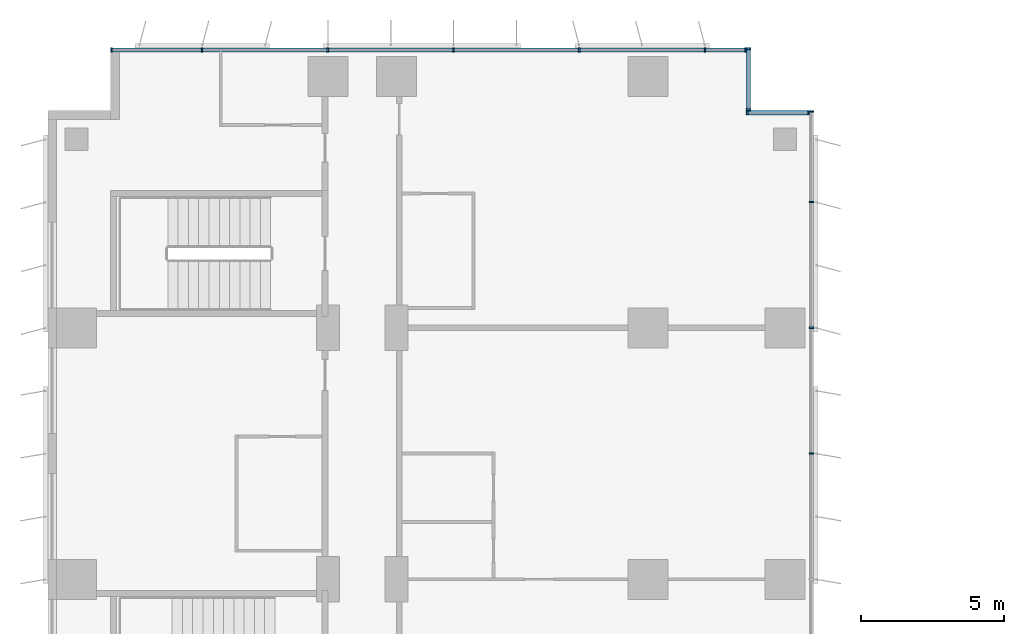
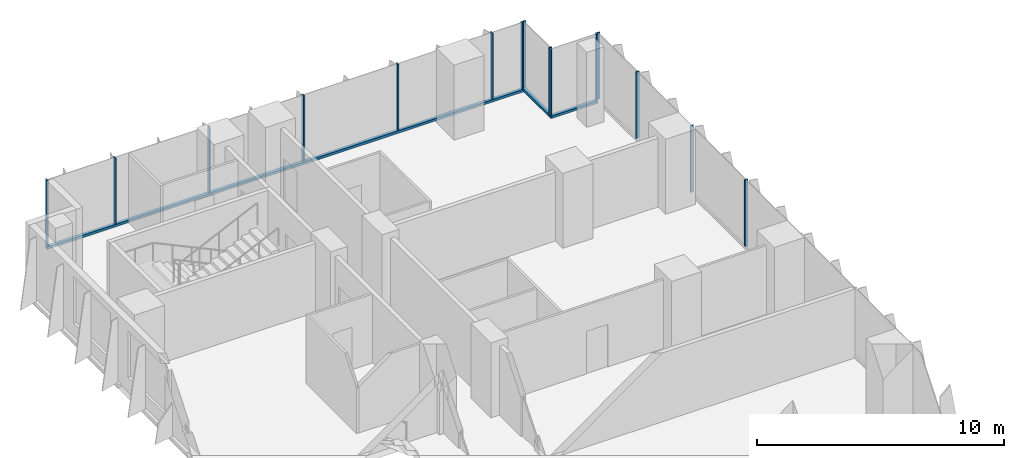
# One storey, part 9 of 24: 18 members, 4 elements without a shape of their own.
"""IFC4 building model written with IfcOpenShell, lengths in metres."""

from ifc_helpers import new_model, si_unit, direction, frame, origin, origin_2d, place, context, subcontext, project, spatial, rectangle, extrude, source, transform, mapped, material, material_profile, profile_set, type_object, element, aggregate, save


model = new_model("IFC4")

# Units and contexts
model_context = context("Model", 3, precision=1e-05, world=origin(), true_north=direction((0.0, 1.0)))
body_context = subcontext(model_context, "Body", "Model", "MODEL_VIEW")
ifc_project = project(units=[si_unit("LENGTHUNIT", "METRE"), si_unit("AREAUNIT", "SQUARE_METRE"), si_unit("VOLUMEUNIT", "CUBIC_METRE"), si_unit("PLANEANGLEUNIT", "RADIAN"), si_unit("MASSUNIT", "GRAM", prefix="KILO")], contexts=[model_context])

# Site, building, storey
site_placement = place(None, origin())
site = spatial("IfcSite", under=ifc_project, at=site_placement, CompositionType="ELEMENT")
building_placement = place(site_placement, origin())
building = spatial("IfcBuilding", under=site, at=building_placement, Name="Kemantara Hotel Tower", CompositionType="ELEMENT")
storey_placement = place(building_placement, frame((0.0, 0.0, 45.10009765625)))
storey = spatial("IfcBuildingStorey", under=building, at=storey_placement, Name="L09", CompositionType="ELEMENT", Elevation=45.10009765625)

# Curtain wall, member
ifc_material_1 = material(Name="Low-E tinted double insulated glass 36 mm", Category="glass")
curtain_wall_type = type_object("IfcCurtainWallType", Name="TOWER CURTAIN WALL, FRONT FACES", PredefinedType="USERDEFINED", material=ifc_material_1)
curtain_wall_1_placement = place(storey_placement, origin())
curtain_wall_1 = element("IfcCurtainWall", 1, at=curtain_wall_1_placement, inside=storey, type_object=curtain_wall_type, Name="CW4 L09 T1-R11-1", ObjectType="TOWER CURTAIN WALL, FRONT FACES", PredefinedType="USERDEFINED")
ifc_material_2 = material(Name="Aluminium 6063-T6 bronze anodised", Category="aluminium")
ifc_material_profile_1 = material_profile(ifc_material_2, rectangle(XDim=0.14990234375, YDim=0.1201171875, at=origin_2d()), Name="TOWER CURTAIN WALL, FRONT FACES TRANSOM")
ifc_profile_set_1 = profile_set([ifc_material_profile_1], Name="Aluminium 6063-T6 bronze anodised")
member_type_1 = type_object("IfcMemberType", Name="TOWER CURTAIN WALL, FRONT FACES TRANSOM", PredefinedType="USERDEFINED", material=ifc_profile_set_1)
member_1_placement = place(storey_placement, frame((24.449951171875, 81.125, 0.059814453125), z_axis=(-1.0, 0.0, 0.0), x_axis=(0.0, -1.0, 0.0)))
member_1 = element("IfcMember", 2, at=member_1_placement, type_object=member_type_1, Name="CW4 sill transom T1-R11-1", ObjectType="TRANSOM", PredefinedType="USERDEFINED", context=body_context, shape_type="SweptSolid", body=[
    extrude(rectangle(XDim=0.14990234375, YDim=0.1201171875, at=origin_2d()), origin(), (0.0, 0.0, 1.0), 22.25),
])

curtain_wall_2_placement = place(storey_placement, origin())
curtain_wall_2 = element("IfcCurtainWall", 3, at=curtain_wall_2_placement, inside=storey, type_object=curtain_wall_type, Name="CW4 L09 T1-R09-1", ObjectType="TOWER CURTAIN WALL, FRONT FACES", PredefinedType="USERDEFINED")
member_2_placement = place(storey_placement, frame((26.64990234375, 78.925048828125, 0.059814453125), z_axis=(-1.0, 0.0, 0.0), x_axis=(0.0, -1.0, 0.0)))
member_2 = element("IfcMember", 4, at=member_2_placement, type_object=member_type_1, Name="CW4 sill transom T1-R09-1", ObjectType="TRANSOM", PredefinedType="USERDEFINED", context=body_context, shape_type="SweptSolid", body=[
    extrude(rectangle(XDim=0.14990234375, YDim=0.1201171875, at=origin_2d()), origin(), (0.0, 0.0, 1.0), 2.199951171875),
])

curtain_wall_3_placement = place(storey_placement, origin())
curtain_wall_3 = element("IfcCurtainWall", 5, at=curtain_wall_3_placement, inside=storey, type_object=curtain_wall_type, Name="CW4 L09 T1-R10-1", ObjectType="TOWER CURTAIN WALL, FRONT FACES", PredefinedType="USERDEFINED")
member_3_placement = place(storey_placement, frame((24.52490234375, 79.0, 0.059814453125), z_axis=(0.0, 1.0, 0.0), x_axis=(-1.0, 0.0, 0.0)))
member_3 = element("IfcMember", 6, at=member_3_placement, type_object=member_type_1, Name="CW4 sill transom T1-R10-1", ObjectType="TRANSOM", PredefinedType="USERDEFINED", context=body_context, shape_type="SweptSolid", body=[
    extrude(rectangle(XDim=0.14990234375, YDim=0.1201171875, at=origin_2d()), origin(), (0.0, 0.0, 1.0), 2.199951171875),
])

# Curtain wall, members
curtain_wall_4_placement = place(storey_placement, origin())
curtain_wall_4 = element("IfcCurtainWall", 7, at=curtain_wall_4_placement, inside=storey, type_object=curtain_wall_type, Name="CW4 L09 T1-R08-1", ObjectType="TOWER CURTAIN WALL, FRONT FACES", PredefinedType="USERDEFINED")
ifc_material_profile_2 = material_profile(ifc_material_2, rectangle(XDim=0.14990234375, YDim=0.06005859375, at=origin_2d()), Name="TOWER CURTAIN WALL, FRONT FACES MULLION")
ifc_profile_set_2 = profile_set([ifc_material_profile_2], Name="Aluminium 6063-T6 bronze anodised")
member_type_2 = type_object("IfcMemberType", Name="TOWER CURTAIN WALL, FRONT FACES MULLION", PredefinedType="MULLION", material=ifc_profile_set_2)
shared_shape = source(origin(), body_context, "Body", "SweptSolid", [
    extrude(rectangle(XDim=0.14990234375, YDim=0.06005859375, at=origin_2d()), origin(), (0.0, 0.0, 1.0), 3.280029296875),
])
member_4_placement = place(storey_placement, frame((26.72509765625, 67.0, 0.119873046875), z_axis=(0.0, 0.0, 1.0), x_axis=(-1.0, 0.0, 0.0)))
member_4 = element("IfcMember", 8, at=member_4_placement, type_object=member_type_2, Name="CW4 mullion T1-R08-1.11", PredefinedType="MULLION", context=body_context, shape_type="MappedRepresentation", body=[
    mapped(shared_shape, transform((0.0, 0.0, 0.0))),
])
member_5_placement = place(storey_placement, frame((26.72509765625, 71.39990234375, 0.119873046875), z_axis=(0.0, 0.0, 1.0), x_axis=(-1.0, 0.0, 0.0)))
member_5 = element("IfcMember", 9, at=member_5_placement, type_object=member_type_2, Name="CW4 mullion T1-R08-1.12", PredefinedType="MULLION", context=body_context, shape_type="MappedRepresentation", body=[
    mapped(shared_shape, transform((0.0, 0.0, 0.0))),
])
member_6_placement = place(storey_placement, frame((26.72509765625, 75.800048828125, 0.119873046875), z_axis=(0.0, 0.0, 1.0), x_axis=(-1.0, 0.0, 0.0)))
member_6 = element("IfcMember", 10, at=member_6_placement, type_object=member_type_2, Name="CW4 mullion T1-R08-1.13", PredefinedType="MULLION", context=body_context, shape_type="MappedRepresentation", body=[
    mapped(shared_shape, transform((0.0, 0.0, 0.0))),
])
member_7_placement = place(storey_placement, frame((26.72509765625, 78.969970703125, 0.119873046875), z_axis=(0.0, 0.0, 1.0), x_axis=(-1.0, 0.0, 0.0)))
member_7 = element("IfcMember", 11, at=member_7_placement, type_object=member_type_2, Name="CW4 mullion T1-R08-1.14", PredefinedType="MULLION", context=body_context, shape_type="MappedRepresentation", body=[
    mapped(shared_shape, transform((0.0, 0.0, 0.0))),
])
aggregate(curtain_wall_4, [member_4, member_5, member_6, member_7])

# Member
member_8_placement = place(storey_placement, frame((24.419921875, 81.125, 0.119873046875), z_axis=(0.0, 0.0, 1.0), x_axis=(0.0, -1.0, 0.0)))
member_8 = element("IfcMember", 12, at=member_8_placement, type_object=member_type_2, Name="CW4 mullion T1-R11-1.1", PredefinedType="MULLION", context=body_context, shape_type="MappedRepresentation", body=[
    mapped(shared_shape, transform((0.0, 0.0, 0.0))),
])

member_9_placement = place(storey_placement, frame((23.0, 81.125, 0.119873046875), z_axis=(0.0, 0.0, 1.0), x_axis=(0.0, -1.0, 0.0)))
member_9 = element("IfcMember", 13, at=member_9_placement, type_object=member_type_2, Name="CW4 mullion T1-R11-1.2", PredefinedType="MULLION", context=body_context, shape_type="MappedRepresentation", body=[
    mapped(shared_shape, transform((0.0, 0.0, 0.0))),
])

member_10_placement = place(storey_placement, frame((18.60009765625, 81.125, 0.119873046875), z_axis=(0.0, 0.0, 1.0), x_axis=(0.0, -1.0, 0.0)))
member_10 = element("IfcMember", 14, at=member_10_placement, type_object=member_type_2, Name="CW4 mullion T1-R11-1.3", PredefinedType="MULLION", context=body_context, shape_type="MappedRepresentation", body=[
    mapped(shared_shape, transform((0.0, 0.0, 0.0))),
])

member_11_placement = place(storey_placement, frame((14.199951171875, 81.125, 0.119873046875), z_axis=(0.0, 0.0, 1.0), x_axis=(0.0, -1.0, 0.0)))
member_11 = element("IfcMember", 15, at=member_11_placement, type_object=member_type_2, Name="CW4 mullion T1-R11-1.4", PredefinedType="MULLION", context=body_context, shape_type="MappedRepresentation", body=[
    mapped(shared_shape, transform((0.0, 0.0, 0.0))),
])

member_12_placement = place(storey_placement, frame((9.800048828125, 81.125, 0.119873046875), z_axis=(0.0, 0.0, 1.0), x_axis=(0.0, -1.0, 0.0)))
member_12 = element("IfcMember", 16, at=member_12_placement, type_object=member_type_2, Name="CW4 mullion T1-R11-1.5", PredefinedType="MULLION", context=body_context, shape_type="MappedRepresentation", body=[
    mapped(shared_shape, transform((0.0, 0.0, 0.0))),
])

member_13_placement = place(storey_placement, frame((5.39990234375, 81.125, 0.119873046875), z_axis=(0.0, 0.0, 1.0), x_axis=(0.0, -1.0, 0.0)))
member_13 = element("IfcMember", 17, at=member_13_placement, type_object=member_type_2, Name="CW4 mullion T1-R11-1.6", PredefinedType="MULLION", context=body_context, shape_type="MappedRepresentation", body=[
    mapped(shared_shape, transform((0.0, 0.0, 0.0))),
])

member_14_placement = place(storey_placement, frame((2.22998046875, 81.125, 0.119873046875), z_axis=(0.0, 0.0, 1.0), x_axis=(0.0, -1.0, 0.0)))
member_14 = element("IfcMember", 18, at=member_14_placement, type_object=member_type_2, Name="CW4 mullion T1-R11-1.7", PredefinedType="MULLION", context=body_context, shape_type="MappedRepresentation", body=[
    mapped(shared_shape, transform((0.0, 0.0, 0.0))),
])

aggregate(curtain_wall_1, [member_1, member_8, member_9, member_10, member_11, member_12, member_13, member_14])

member_15_placement = place(storey_placement, frame((26.6201171875, 78.925048828125, 0.119873046875), z_axis=(0.0, 0.0, 1.0), x_axis=(0.0, -1.0, 0.0)))
member_15 = element("IfcMember", 19, at=member_15_placement, type_object=member_type_2, Name="CW4 mullion T1-R09-1.1", PredefinedType="MULLION", context=body_context, shape_type="MappedRepresentation", body=[
    mapped(shared_shape, transform((0.0, 0.0, 0.0))),
])

member_16_placement = place(storey_placement, frame((24.47998046875, 78.925048828125, 0.119873046875), z_axis=(0.0, 0.0, 1.0), x_axis=(0.0, -1.0, 0.0)))
member_16 = element("IfcMember", 20, at=member_16_placement, type_object=member_type_2, Name="CW4 mullion T1-R09-1.2", PredefinedType="MULLION", context=body_context, shape_type="MappedRepresentation", body=[
    mapped(shared_shape, transform((0.0, 0.0, 0.0))),
])

aggregate(curtain_wall_2, [member_2, member_15, member_16])

member_17_placement = place(storey_placement, frame((24.52490234375, 79.030029296875, 0.119873046875), z_axis=(0.0, 0.0, 1.0), x_axis=(-1.0, 0.0, 0.0)))
member_17 = element("IfcMember", 21, at=member_17_placement, type_object=member_type_2, Name="CW4 mullion T1-R10-1.1", PredefinedType="MULLION", context=body_context, shape_type="MappedRepresentation", body=[
    mapped(shared_shape, transform((0.0, 0.0, 0.0))),
])

member_18_placement = place(storey_placement, frame((24.52490234375, 81.169921875, 0.119873046875), z_axis=(0.0, 0.0, 1.0), x_axis=(-1.0, 0.0, 0.0)))
member_18 = element("IfcMember", 22, at=member_18_placement, type_object=member_type_2, Name="CW4 mullion T1-R10-1.2", PredefinedType="MULLION", context=body_context, shape_type="MappedRepresentation", body=[
    mapped(shared_shape, transform((0.0, 0.0, 0.0))),
])

aggregate(curtain_wall_3, [member_3, member_17, member_18])

save(model, "model.ifc")
